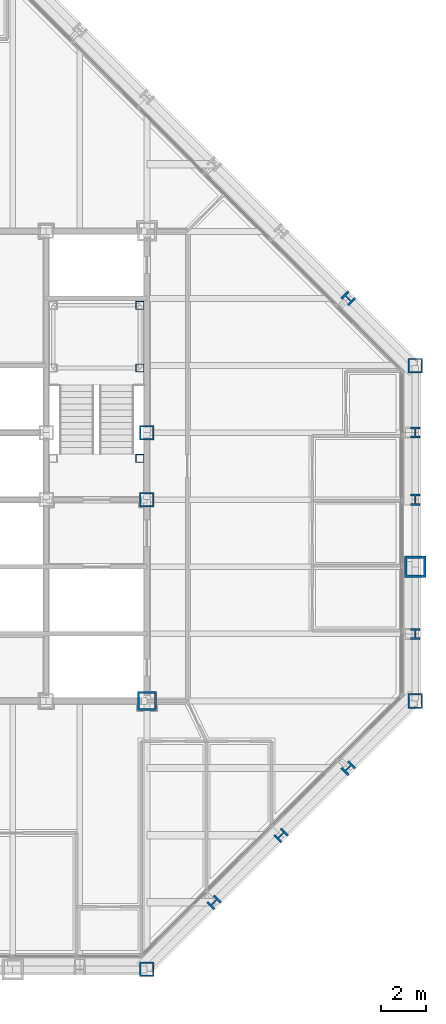
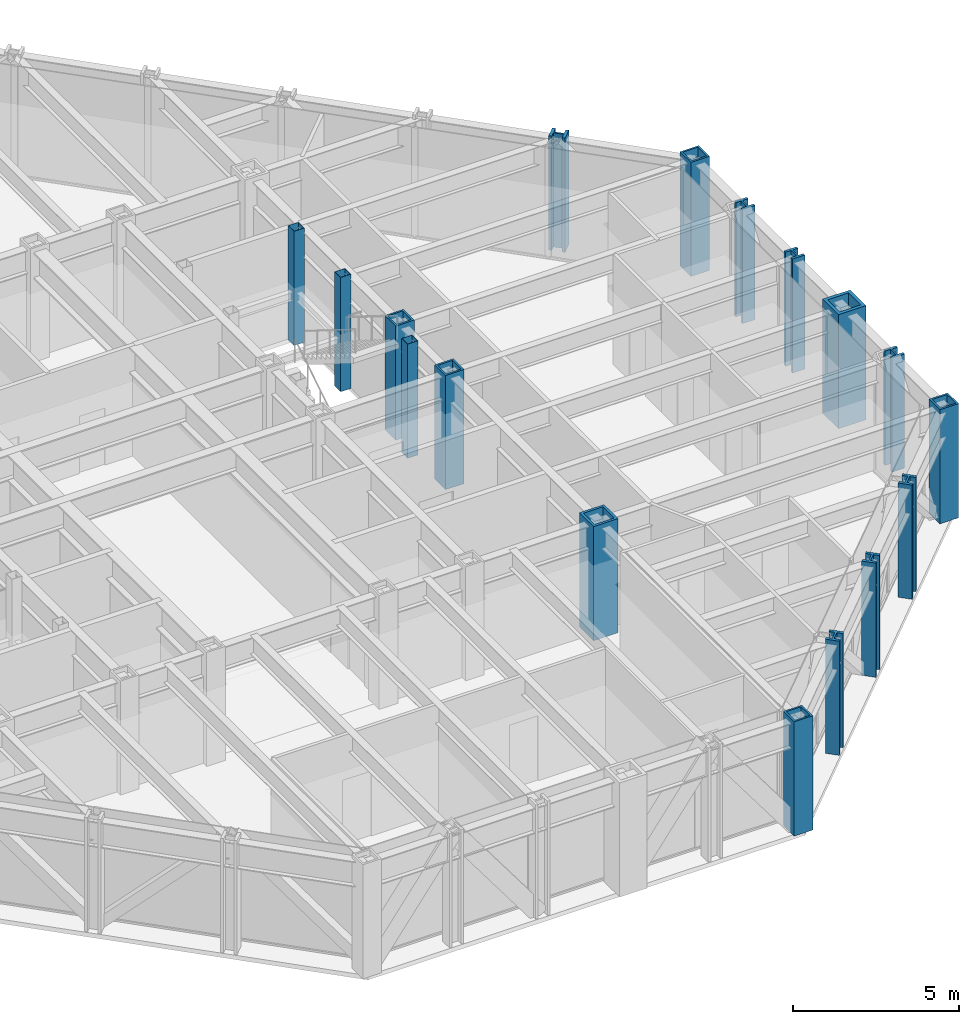
# One storey, part 3 of 16: 17 columns.
"""IFC4 building model written with IfcOpenShell, lengths in metres."""

from ifc_helpers import new_model, si_unit, direction, frame, origin, origin_2d, place, context, subcontext, project, spatial, hollow_rectangle, i_section, extrude, material, material_profile, profile_set, type_object, element, save


model = new_model("IFC4")

# Units and contexts
model_context = context("Model", 3, precision=1e-05, world=origin(), true_north=direction((0.0, 1.0)))
body_context = subcontext(model_context, "Body", "Model", "MODEL_VIEW")
ifc_project = project(units=[si_unit("LENGTHUNIT", "METRE"), si_unit("AREAUNIT", "SQUARE_METRE"), si_unit("VOLUMEUNIT", "CUBIC_METRE"), si_unit("PLANEANGLEUNIT", "RADIAN"), si_unit("MASSUNIT", "GRAM", prefix="KILO")], contexts=[model_context])

# Site, building, storey
site_placement = place(None, origin())
site = spatial("IfcSite", under=ifc_project, at=site_placement, CompositionType="ELEMENT")
building_placement = place(site_placement, origin())
building = spatial("IfcBuilding", under=site, at=building_placement, Name="Chuquiago Exchange Tower", CompositionType="ELEMENT")
storey_placement = place(building_placement, frame((0.0, 0.0, 209.699951171875)))
storey = spatial("IfcBuildingStorey", under=building, at=storey_placement, Name="L46", CompositionType="ELEMENT", Elevation=209.699951171875)

# Columns
ifc_material_1 = material(Name="Steel ASTM A992", Category="steel")
ifc_material_profile_1 = material_profile(ifc_material_1, i_section(OverallWidth=0.431884765625, OverallDepth=0.497802734375, WebThickness=0.0556640625, FlangeThickness=0.0888671875, at=origin_2d()), Name="W14X500")
ifc_profile_set_1 = profile_set([ifc_material_profile_1], Name="Steel ASTM A992")
column_type_1 = type_object("IfcColumnType", Name="C4 W14X500", PredefinedType="COLUMN", material=ifc_profile_set_1)
for number, where, z_axis, x_axis, name in (
    (1, (45.0, 15.0, 0.0), (0.0, 0.0, 1.0), (1.0, 0.0, 0.0), "COL-L46-45_15"),
    (2, (45.0, 21.0, 0.0), (0.0, 0.0, 1.0), (1.0, 0.0, 0.0), "COL-L46-45_21"),
    (3, (45.0, 24.0, 0.0), (0.0, 0.0, 1.0), (1.0, 0.0, 0.0), "COL-L46-45_24"),
):
    element("IfcColumn", number, at=place(storey_placement, frame(where, z_axis=z_axis, x_axis=x_axis)), inside=storey, type_object=column_type_1, Name=name, PredefinedType="COLUMN", context=body_context, shape_type="SweptSolid", body=[
        extrude(i_section(OverallWidth=0.431884765625, OverallDepth=0.497802734375, WebThickness=0.0556640625, FlangeThickness=0.0888671875, at=origin_2d()), origin(), (0.0, 0.0, 1.0), 4.199951171875),
    ])
ifc_material_2 = material(Name="Steel ASTM A572 Grade 50", Category="steel")
ifc_material_profile_2 = material_profile(ifc_material_2, hollow_rectangle(XDim=0.64990234375, YDim=0.64990234375, WallThickness=0.06494140625, at=origin_2d()), Name="BOX650X650X65")
ifc_profile_set_2 = profile_set([ifc_material_profile_2], Name="Steel ASTM A572 Grade 50")
column_type_2 = type_object("IfcColumnType", Name="CC4 BOX650X650X65", PredefinedType="COLUMN", material=ifc_profile_set_2)
for number, where, z_axis, x_axis, name in (
    (4, (33.0, 21.0, 0.0), (0.0, 0.0, 1.0), (1.0, 0.0, 0.0), "CCOL-L46-33_21"),
    (5, (33.0, 24.0, 0.0), (0.0, 0.0, 1.0), (1.0, 0.0, 0.0), "CCOL-L46-33_24"),
):
    element("IfcColumn", number, at=place(storey_placement, frame(where, z_axis=z_axis, x_axis=x_axis)), inside=storey, type_object=column_type_2, Name=name, PredefinedType="COLUMN", context=body_context, shape_type="SweptSolid", body=[
        extrude(hollow_rectangle(XDim=0.64990234375, YDim=0.64990234375, WallThickness=0.06494140625, at=origin_2d()), origin(), (0.0, 0.0, 1.0), 4.199951171875),
    ])
ifc_material_3 = material(Name="Steel ASTM A572 Grade 50", Category="steel")
ifc_material_profile_3 = material_profile(ifc_material_3, hollow_rectangle(XDim=0.85009765625, YDim=0.85009765625, WallThickness=0.0849609375, at=origin_2d()), Name="BOX850X850X85")
ifc_profile_set_3 = profile_set([ifc_material_profile_3], Name="Steel ASTM A572 Grade 50")
column_type_3 = type_object("IfcColumnType", Name="CC6 BOX850X850X85", PredefinedType="COLUMN", material=ifc_profile_set_3)
column_1_placement = place(storey_placement, frame((33.0, 12.0, 0.0), z_axis=(0.0, 0.0, 1.0), x_axis=(1.0, 0.0, 0.0)))
element("IfcColumn", 6, at=column_1_placement, inside=storey, type_object=column_type_3, Name="CCOL-L46-33_12", PredefinedType="COLUMN", context=body_context, shape_type="SweptSolid", body=[
    extrude(hollow_rectangle(XDim=0.85009765625, YDim=0.85009765625, WallThickness=0.0849609375, at=origin_2d()), origin(), (0.0, 0.0, 1.0), 4.199951171875),
])
ifc_material_4 = material(Name="Steel ASTM A992", Category="steel")
ifc_material_profile_4 = material_profile(ifc_material_4, i_section(OverallWidth=0.436767578125, OverallDepth=0.51318359375, WebThickness=0.060546875, FlangeThickness=0.096923828125, at=origin_2d()), Name="W14X550")
ifc_profile_set_4 = profile_set([ifc_material_profile_4], Name="Steel ASTM A992")
column_type_4 = type_object("IfcColumnType", Name="CK4 W14X550", PredefinedType="COLUMN", material=ifc_profile_set_4)
for number, where, z_axis, x_axis, name in (
    (7, (36.0, 3.0, 0.0), (0.0, 0.0, 1.0), (0.707106781187, -0.707106781187, 0.0), "COL-L46-36_3"),
    (8, (39.0, 6.0, 0.0), (0.0, 0.0, 1.0), (0.707106781187, -0.707106781187, 0.0), "COL-L46-39_6"),
    (9, (42.0, 9.0, 0.0), (0.0, 0.0, 1.0), (0.707106781187, -0.707106781187, 0.0), "COL-L46-42_9"),
    (10, (42.0, 30.0, 0.0), (0.0, 0.0, 1.0), (0.707106781187, 0.707106781187, 0.0), "COL-L46-42_30"),
):
    element("IfcColumn", number, at=place(storey_placement, frame(where, z_axis=z_axis, x_axis=x_axis)), inside=storey, type_object=column_type_4, Name=name, PredefinedType="COLUMN", context=body_context, shape_type="SweptSolid", body=[
        extrude(i_section(OverallWidth=0.436767578125, OverallDepth=0.51318359375, WebThickness=0.060546875, FlangeThickness=0.096923828125, at=origin_2d()), origin(), (0.0, 0.0, 1.0), 4.199951171875),
    ])
ifc_material_5 = material(Name="Steel ASTM A572 Grade 50", Category="steel")
ifc_material_profile_5 = material_profile(ifc_material_5, hollow_rectangle(XDim=0.64990234375, YDim=0.64990234375, WallThickness=0.06494140625, at=origin_2d()), Name="BOX650X650X65")
ifc_profile_set_5 = profile_set([ifc_material_profile_5], Name="Steel ASTM A572 Grade 50")
column_type_5 = type_object("IfcColumnType", Name="CN2 BOX650X650X65", PredefinedType="COLUMN", material=ifc_profile_set_5)
for number, where, z_axis, x_axis, name in (
    (11, (33.0, 0.0, 0.0), (0.0, 0.0, 1.0), (0.0, -1.0, 0.0), "COL-L46-33_0"),
    (12, (45.0, 12.0, 0.0), (0.0, 0.0, 1.0), (1.0, 0.0, 0.0), "COL-L46-45_12"),
    (13, (45.0, 27.0, 0.0), (0.0, 0.0, 1.0), (1.0, 0.0, 0.0), "COL-L46-45_27"),
):
    element("IfcColumn", number, at=place(storey_placement, frame(where, z_axis=z_axis, x_axis=x_axis)), inside=storey, type_object=column_type_5, Name=name, PredefinedType="COLUMN", context=body_context, shape_type="SweptSolid", body=[
        extrude(hollow_rectangle(XDim=0.64990234375, YDim=0.64990234375, WallThickness=0.06494140625, at=origin_2d()), origin(), (0.0, 0.0, 1.0), 4.199951171875),
    ])
ifc_material_6 = material(Name="Steel ASTM A572 Grade 42", Category="steel")
ifc_material_profile_6 = material_profile(ifc_material_6, hollow_rectangle(XDim=0.949951171875, YDim=0.949951171875, WallThickness=0.110107421875, at=origin_2d()), Name="BOX950X950X110")
ifc_profile_set_6 = profile_set([ifc_material_profile_6], Name="Steel ASTM A572 Grade 42")
column_type_6 = type_object("IfcColumnType", Name="CT1 BOX950X950X110", PredefinedType="COLUMN", material=ifc_profile_set_6)
column_2_placement = place(storey_placement, frame((45.0, 18.0, 0.0), z_axis=(0.0, 0.0, 1.0), x_axis=(1.0, 0.0, 0.0)))
element("IfcColumn", 14, at=column_2_placement, inside=storey, type_object=column_type_6, Name="COL-L46-45_18", PredefinedType="COLUMN", context=body_context, shape_type="SweptSolid", body=[
    extrude(hollow_rectangle(XDim=0.949951171875, YDim=0.949951171875, WallThickness=0.110107421875, at=origin_2d()), origin(), (0.0, 0.0, 1.0), 4.199951171875),
])
ifc_material_7 = material(Name="Steel ASTM A500 Grade C", Category="steel")
ifc_material_profile_7 = material_profile(ifc_material_7, hollow_rectangle(XDim=0.355712890625, YDim=0.355712890625, WallThickness=0.0087890625, at=origin_2d()), Name="HSS14X14X3/8")
ifc_profile_set_7 = profile_set([ifc_material_profile_7], Name="Steel ASTM A500 Grade C")
column_type_7 = type_object("IfcColumnType", Name="PT1 HSS14X14X3/8", PredefinedType="COLUMN", material=ifc_profile_set_7)
for number, where, z_axis, x_axis, name in (
    (15, (32.68994140625, 29.68994140625, 0.0), (0.0, 0.0, 1.0), (1.0, 0.0, 0.0), "Stair ST2 L46 landing post"),
    (16, (32.68994140625, 26.889892578125, 0.0), (0.0, 0.0, 1.0), (1.0, 0.0, 0.0), "Stair ST2 L46 landing post"),
    (17, (32.68994140625, 22.85009765625, 0.0), (0.0, 0.0, 1.0), (1.0, 0.0, 0.0), "Stair ST2 L46 landing post"),
):
    element("IfcColumn", number, at=place(storey_placement, frame(where, z_axis=z_axis, x_axis=x_axis)), inside=storey, type_object=column_type_7, Name=name, PredefinedType="COLUMN", context=body_context, shape_type="SweptSolid", body=[
        extrude(hollow_rectangle(XDim=0.355712890625, YDim=0.355712890625, WallThickness=0.0087890625, at=origin_2d()), origin(), (0.0, 0.0, 1.0), 4.199951171875),
    ])

save(model, "model.ifc")
